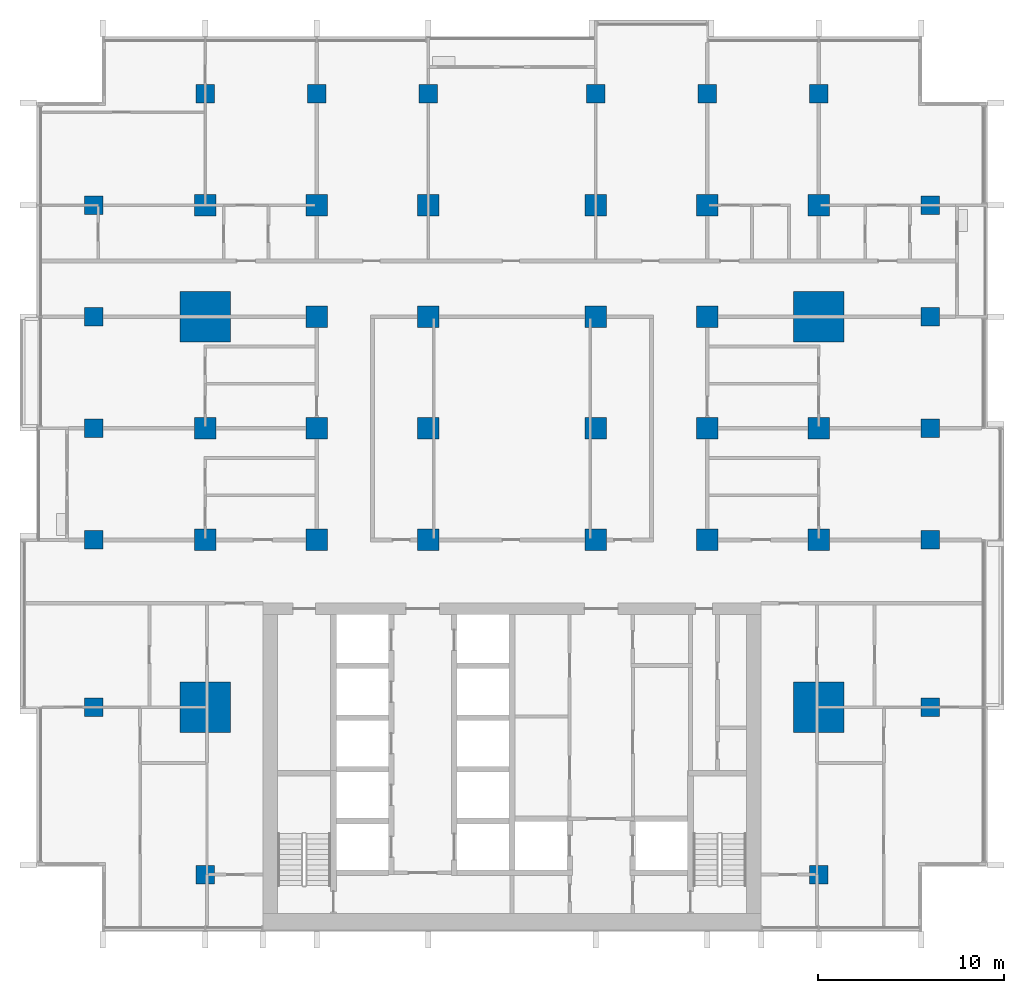
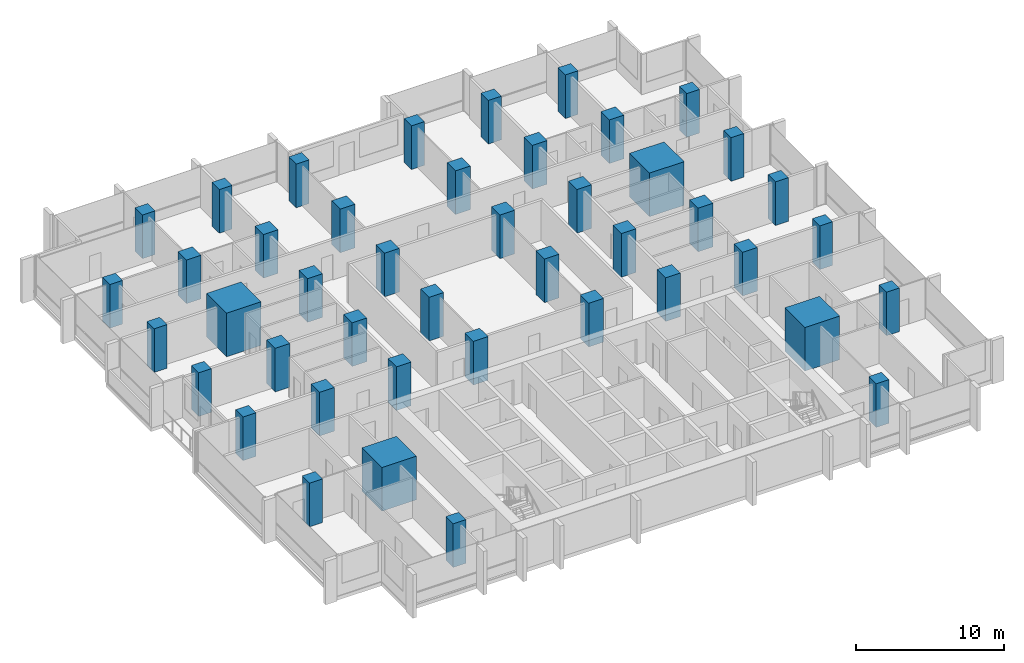
# One storey, part 1 of 17: 44 columns.
"""IFC4 building model written with IfcOpenShell, lengths in metres."""

from ifc_helpers import new_model, si_unit, direction, frame, origin, origin_2d, place, context, subcontext, project, spatial, rectangle, extrude, material, material_profile, profile_set, type_object, element, save


model = new_model("IFC4")

# Units and contexts
model_context = context("Model", 3, precision=1e-05, world=origin(), true_north=direction((0.0, 1.0)))
body_context = subcontext(model_context, "Body", "Model", "MODEL_VIEW")
ifc_project = project(units=[si_unit("LENGTHUNIT", "METRE"), si_unit("AREAUNIT", "SQUARE_METRE"), si_unit("VOLUMEUNIT", "CUBIC_METRE"), si_unit("PLANEANGLEUNIT", "RADIAN"), si_unit("MASSUNIT", "GRAM", prefix="KILO")], contexts=[model_context])

# Site, building, storey
site_placement = place(None, origin())
site = spatial("IfcSite", under=ifc_project, at=site_placement, CompositionType="ELEMENT")
building_placement = place(site_placement, origin())
building = spatial("IfcBuilding", under=site, at=building_placement, Name="Finial Court Residences", CompositionType="ELEMENT")
storey_placement = place(building_placement, frame((0.0, 0.0, 113.5)))
storey = spatial("IfcBuildingStorey", under=building, at=storey_placement, Name="L28", CompositionType="ELEMENT", Elevation=113.5)

# Columns
ifc_material = material(Name="Concrete C70/85", Category="concrete")
ifc_material_profile_1 = material_profile(ifc_material, rectangle(XDim=1.14990234375, YDim=1.14990234375, at=origin_2d()), Name="1150x1150")
ifc_profile_set_1 = profile_set([ifc_material_profile_1], Name="Concrete C70/85")
column_type_1 = type_object("IfcColumnType", Name="Interior column 1150x1150 Concrete C70/85", PredefinedType="COLUMN", material=ifc_profile_set_1)
for number, where, z_axis, x_axis, name in (
    (1, (-16.5, -4.5, 0.0), (0.0, 0.0, 1.0), (1.0, 0.0, 0.0), "S:COL:L28:C4"),
    (2, (-16.5, 1.5, 0.0), (0.0, 0.0, 1.0), (1.0, 0.0, 0.0), "S:COL:L28:C5"),
    (3, (-16.5, 13.5, 0.0), (0.0, 0.0, 1.0), (1.0, 0.0, 0.0), "S:COL:L28:C7"),
    (4, (-10.5, -4.5, 0.0), (0.0, 0.0, 1.0), (1.0, 0.0, 0.0), "S:COL:L28:D4"),
    (5, (-10.5, 1.5, 0.0), (0.0, 0.0, 1.0), (1.0, 0.0, 0.0), "S:COL:L28:D5"),
    (6, (-10.5, 7.5, 0.0), (0.0, 0.0, 1.0), (1.0, 0.0, 0.0), "S:COL:L28:D6"),
    (7, (-10.5, 13.5, 0.0), (0.0, 0.0, 1.0), (1.0, 0.0, 0.0), "S:COL:L28:D7"),
    (8, (-4.5, -4.5, 0.0), (0.0, 0.0, 1.0), (1.0, 0.0, 0.0), "S:COL:L28:E4"),
    (9, (-4.5, 1.5, 0.0), (0.0, 0.0, 1.0), (1.0, 0.0, 0.0), "S:COL:L28:E5"),
    (10, (-4.5, 7.5, 0.0), (0.0, 0.0, 1.0), (1.0, 0.0, 0.0), "S:COL:L28:E6"),
    (11, (-4.5, 13.5, 0.0), (0.0, 0.0, 1.0), (1.0, 0.0, 0.0), "S:COL:L28:E7"),
    (12, (4.5, -4.5, 0.0), (0.0, 0.0, 1.0), (1.0, 0.0, 0.0), "S:COL:L28:F4"),
    (13, (4.5, 1.5, 0.0), (0.0, 0.0, 1.0), (1.0, 0.0, 0.0), "S:COL:L28:F5"),
    (14, (4.5, 7.5, 0.0), (0.0, 0.0, 1.0), (1.0, 0.0, 0.0), "S:COL:L28:F6"),
    (15, (4.5, 13.5, 0.0), (0.0, 0.0, 1.0), (1.0, 0.0, 0.0), "S:COL:L28:F7"),
    (16, (10.5, -4.5, 0.0), (0.0, 0.0, 1.0), (1.0, 0.0, 0.0), "S:COL:L28:G4"),
    (17, (10.5, 1.5, 0.0), (0.0, 0.0, 1.0), (1.0, 0.0, 0.0), "S:COL:L28:G5"),
    (18, (10.5, 7.5, 0.0), (0.0, 0.0, 1.0), (1.0, 0.0, 0.0), "S:COL:L28:G6"),
    (19, (10.5, 13.5, 0.0), (0.0, 0.0, 1.0), (1.0, 0.0, 0.0), "S:COL:L28:G7"),
    (20, (16.5, -4.5, 0.0), (0.0, 0.0, 1.0), (1.0, 0.0, 0.0), "S:COL:L28:H4"),
    (21, (16.5, 1.5, 0.0), (0.0, 0.0, 1.0), (1.0, 0.0, 0.0), "S:COL:L28:H5"),
    (22, (16.5, 13.5, 0.0), (0.0, 0.0, 1.0), (1.0, 0.0, 0.0), "S:COL:L28:H7"),
):
    element("IfcColumn", number, at=place(storey_placement, frame(where, z_axis=z_axis, x_axis=x_axis)), inside=storey, type_object=column_type_1, Name=name, PredefinedType="COLUMN", context=body_context, shape_type="SweptSolid", body=[
        extrude(rectangle(XDim=1.14990234375, YDim=1.14990234375, at=origin_2d()), origin(), (0.0, 0.0, 1.0), 3.60009765625),
    ])
ifc_material_profile_2 = material_profile(ifc_material, rectangle(XDim=2.699951171875, YDim=2.699951171875, at=origin_2d()), Name="2700x2700")
ifc_profile_set_2 = profile_set([ifc_material_profile_2], Name="Concrete C70/85")
column_type_2 = type_object("IfcColumnType", Name="Mega column 2700x2700 Concrete C70/85", PredefinedType="COLUMN", material=ifc_profile_set_2)
for number, where, z_axis, x_axis, name in (
    (23, (-16.5, -13.5, 0.0), (0.0, 0.0, 1.0), (1.0, 0.0, 0.0), "S:COL:L28:C3"),
    (24, (-16.5, 7.5, 0.0), (0.0, 0.0, 1.0), (1.0, 0.0, 0.0), "S:COL:L28:C6"),
    (25, (16.5, -13.5, 0.0), (0.0, 0.0, 1.0), (1.0, 0.0, 0.0), "S:COL:L28:H3"),
    (26, (16.5, 7.5, 0.0), (0.0, 0.0, 1.0), (1.0, 0.0, 0.0), "S:COL:L28:H6"),
):
    element("IfcColumn", number, at=place(storey_placement, frame(where, z_axis=z_axis, x_axis=x_axis)), inside=storey, type_object=column_type_2, Name=name, PredefinedType="COLUMN", context=body_context, shape_type="SweptSolid", body=[
        extrude(rectangle(XDim=2.699951171875, YDim=2.699951171875, at=origin_2d()), origin(), (0.0, 0.0, 1.0), 3.60009765625),
    ])
ifc_material_profile_3 = material_profile(ifc_material, rectangle(XDim=1.0, YDim=1.0, at=origin_2d()), Name="1000x1000")
ifc_profile_set_3 = profile_set([ifc_material_profile_3], Name="Concrete C70/85")
column_type_3 = type_object("IfcColumnType", Name="Perimeter column 1000x1000 Concrete C70/85", PredefinedType="COLUMN", material=ifc_profile_set_3)
for number, where, z_axis, x_axis, name in (
    (27, (-22.5, -13.5, 0.0), (0.0, 0.0, 1.0), (1.0, 0.0, 0.0), "S:COL:L28:B3"),
    (28, (-22.5, -4.5, 0.0), (0.0, 0.0, 1.0), (1.0, 0.0, 0.0), "S:COL:L28:B4"),
    (29, (-22.5, 1.5, 0.0), (0.0, 0.0, 1.0), (1.0, 0.0, 0.0), "S:COL:L28:B5"),
    (30, (-22.5, 7.5, 0.0), (0.0, 0.0, 1.0), (1.0, 0.0, 0.0), "S:COL:L28:B6"),
    (31, (-22.5, 13.5, 0.0), (0.0, 0.0, 1.0), (1.0, 0.0, 0.0), "S:COL:L28:B7"),
    (32, (-16.5, -22.5, 0.0), (0.0, 0.0, 1.0), (1.0, 0.0, 0.0), "S:COL:L28:C2"),
    (33, (-16.5, 19.5, 0.0), (0.0, 0.0, 1.0), (1.0, 0.0, 0.0), "S:COL:L28:C8"),
    (34, (-10.5, 19.5, 0.0), (0.0, 0.0, 1.0), (1.0, 0.0, 0.0), "S:COL:L28:D8"),
    (35, (-4.5, 19.5, 0.0), (0.0, 0.0, 1.0), (1.0, 0.0, 0.0), "S:COL:L28:E8"),
    (36, (4.5, 19.5, 0.0), (0.0, 0.0, 1.0), (1.0, 0.0, 0.0), "S:COL:L28:F8"),
    (37, (10.5, 19.5, 0.0), (0.0, 0.0, 1.0), (1.0, 0.0, 0.0), "S:COL:L28:G8"),
    (38, (16.5, -22.5, 0.0), (0.0, 0.0, 1.0), (1.0, 0.0, 0.0), "S:COL:L28:H2"),
    (39, (16.5, 19.5, 0.0), (0.0, 0.0, 1.0), (1.0, 0.0, 0.0), "S:COL:L28:H8"),
    (40, (22.5, -13.5, 0.0), (0.0, 0.0, 1.0), (1.0, 0.0, 0.0), "S:COL:L28:I3"),
    (41, (22.5, -4.5, 0.0), (0.0, 0.0, 1.0), (1.0, 0.0, 0.0), "S:COL:L28:I4"),
    (42, (22.5, 1.5, 0.0), (0.0, 0.0, 1.0), (1.0, 0.0, 0.0), "S:COL:L28:I5"),
    (43, (22.5, 7.5, 0.0), (0.0, 0.0, 1.0), (1.0, 0.0, 0.0), "S:COL:L28:I6"),
    (44, (22.5, 13.5, 0.0), (0.0, 0.0, 1.0), (1.0, 0.0, 0.0), "S:COL:L28:I7"),
):
    element("IfcColumn", number, at=place(storey_placement, frame(where, z_axis=z_axis, x_axis=x_axis)), inside=storey, type_object=column_type_3, Name=name, PredefinedType="COLUMN", context=body_context, shape_type="SweptSolid", body=[
        extrude(rectangle(XDim=1.0, YDim=1.0, at=origin_2d()), origin(), (0.0, 0.0, 1.0), 3.60009765625),
    ])

save(model, "model.ifc")
